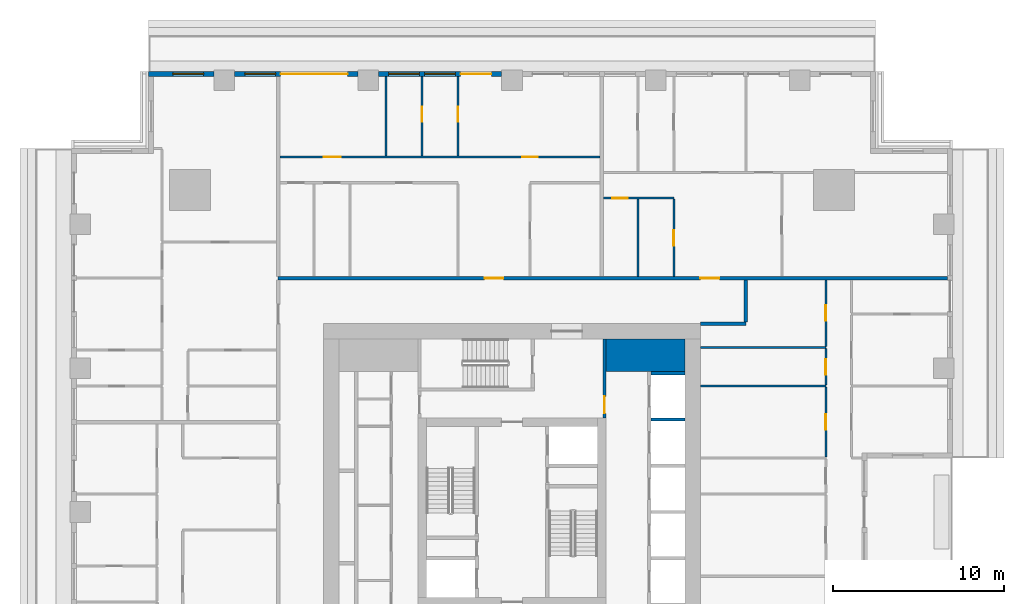
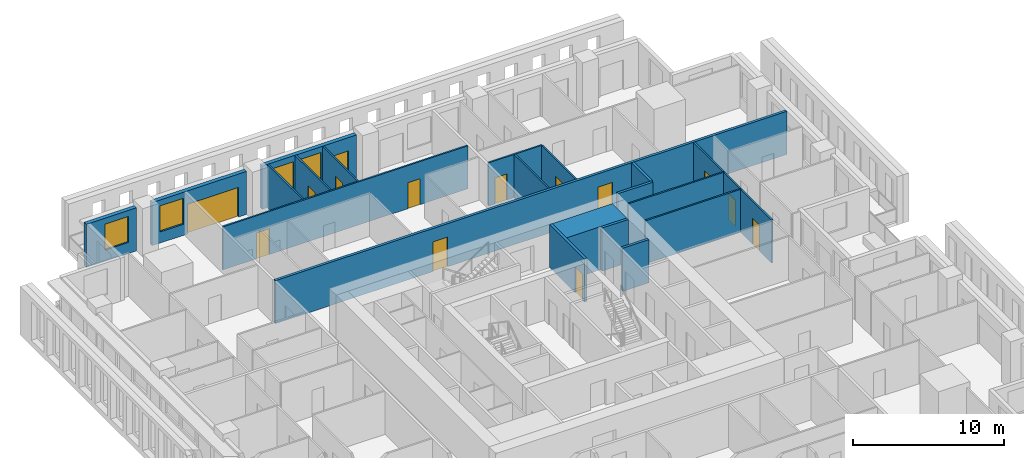
# One storey, part 9 of 17: 22 walls, 14 doors, 4 windows, 18 openings.
"""IFC4 building model written with IfcOpenShell, lengths in metres."""

from ifc_helpers import new_model, si_unit, direction, frame, frame_2d, origin, place, context, subcontext, project, spatial, rectangle, extrude, material, layer, layer_set, type_object, element, fill, save


model = new_model("IFC4")

# Units and contexts
model_context = context("Model", 3, precision=1e-05, world=origin(), true_north=direction((0.0, 1.0)))
body_context = subcontext(model_context, "Body", "Model", "MODEL_VIEW")
ifc_project = project(units=[si_unit("LENGTHUNIT", "METRE"), si_unit("AREAUNIT", "SQUARE_METRE"), si_unit("VOLUMEUNIT", "CUBIC_METRE"), si_unit("PLANEANGLEUNIT", "RADIAN"), si_unit("MASSUNIT", "GRAM", prefix="KILO")], contexts=[model_context])

# Site, building, storey
site_placement = place(None, origin())
site = spatial("IfcSite", under=ifc_project, at=site_placement, CompositionType="ELEMENT")
building_placement = place(site_placement, origin())
building = spatial("IfcBuilding", under=site, at=building_placement, Name="Khepri Terraces", CompositionType="ELEMENT")
storey_placement = place(building_placement, frame((0.0, 0.0, 188.39990234375)))
storey = spatial("IfcBuildingStorey", under=building, at=storey_placement, Name="L44", CompositionType="ELEMENT", Elevation=188.39990234375)

# Walls
ifc_material_1 = material(Name="Concrete C50/60", Category="concrete")
ifc_layer_1 = layer(ifc_material_1, 1.89990234375, Name="Concrete C50/60", Category="concrete")
ifc_layer_set_1 = layer_set([ifc_layer_1], Name="Concrete C50/60")
wall_type_1 = type_object("IfcWallType", Name="Core wall 1900 C50/60", PredefinedType="SHEAR", material=ifc_layer_set_1)
wall_1_placement = place(storey_placement, frame((5.5, 9.14990234375, 0.0), z_axis=(0.0, 0.0, 1.0), x_axis=(1.0, 0.0, 0.0)))
element("IfcWall", 1, at=wall_1_placement, inside=storey, type_object=wall_type_1, Name="Core wall PR04 L44", PredefinedType="SHEAR", context=body_context, shape_type="SweptSolid", body=[
    extrude(rectangle(XDim=4.60009765625, YDim=1.89990234375, at=frame_2d((2.300048828125, 0.0))), origin(), (0.0, 0.0, 1.0), 3.47998046875),
])
ifc_layer_2 = layer(ifc_material_1, 0.199951171875, Name="Concrete C50/60", Category="concrete")
ifc_layer_set_2 = layer_set([ifc_layer_2], Name="Concrete C50/60")
wall_type_2 = type_object("IfcWallType", Name="Core wall 200 C50/60", PredefinedType="SHEAR", material=ifc_layer_set_2)
for number, where, z_axis, x_axis, name in (
    (2, (8.10009765625, 5.39990234375, 0.0), (0.0, 0.0, 1.0), (1.0, 0.0, 0.0), "Core wall SH14 L44"),
    (3, (8.10009765625, 8.10009765625, 0.0), (0.0, 0.0, 1.0), (1.0, 0.0, 0.0), "Core wall SH15 L44"),
):
    element("IfcWall", number, at=place(storey_placement, frame(where, z_axis=z_axis, x_axis=x_axis)), inside=storey, type_object=wall_type_2, Name=name, PredefinedType="SHEAR", context=body_context, shape_type="SweptSolid", body=[
        extrude(rectangle(XDim=2.0, YDim=0.199951171875, at=frame_2d((1.0, 0.0))), origin(), (0.0, 0.0, 1.0), 3.47998046875),
    ])

# Wall, opening, door
ifc_material_2 = material(Name="Fire-rated gypsum board partition")
ifc_layer_3 = layer(ifc_material_2, 0.199951171875, Name="Fire-rated gypsum board partition")
ifc_layer_set_3 = layer_set([ifc_layer_3], Name="Fire-rated gypsum board partition")
wall_type_3 = type_object("IfcWallType", Name="WL-CORE-PART-200", PredefinedType="PARTITIONING", material=ifc_layer_set_3)
wall_2_placement = place(storey_placement, frame((5.39990234375, 5.5, 0.0), z_axis=(0.0, 0.0, 1.0), x_axis=(0.0, 1.0, 0.0)))
wall_2 = element("IfcWall", 4, at=wall_2_placement, inside=storey, type_object=wall_type_3, Name="Core partition PT13 L44", PredefinedType="PARTITIONING", context=body_context, shape_type="SweptSolid", body=[
    extrude(rectangle(XDim=4.60009765625, YDim=0.199951171875, at=frame_2d((2.300048828125, 0.0))), origin(), (0.0, 0.0, 1.0), 3.47998046875),
])
opening_1_placement = place(wall_2_placement, frame((0.25, 0.0, 0.0)))
opening_1 = element("IfcOpeningElement", 5, at=opening_1_placement, cuts=wall_2, Name="Opening L44-C17", PredefinedType="OPENING", context=body_context, shape_type="SweptSolid", body=[
    extrude(rectangle(XDim=1.0, YDim=2.10009765625, at=frame_2d((0.5, 1.050048828125))), frame((0.0, 0.10986328125, 0.0), z_axis=(0.0, -1.0, 0.0), x_axis=(1.0, 0.0, 0.0)), (0.0, 0.0, 1.0), 0.219970703125),
])
ifc_material_3 = material(Name="Painted steel", Category="steel")
door_type_1 = type_object("IfcDoorType", Name="DR-CORE-LOBBY-1000", OperationType="NOTDEFINED", PredefinedType="DOOR", material=ifc_material_3)
door_1_placement = place(opening_1_placement, origin())
door_1 = element("IfcDoor", 6, at=door_1_placement, inside=storey, type_object=door_type_1, Name="Lobby door L44-C17", OperationType="SINGLE_SWING_LEFT", OverallHeight=2.10009765625, OverallWidth=1.0, PredefinedType="DOOR", context=body_context, shape_type="SweptSolid", body=[
    extrude(rectangle(XDim=1.0, YDim=2.10009765625, at=frame_2d((0.5, 1.050048828125))), frame((0.0, 0.02490234375, 0.0), z_axis=(0.0, -1.0, 0.0), x_axis=(1.0, 0.0, 0.0)), (0.0, 0.0, 1.0), 0.050048828125),
])
fill(opening_1, door_1)

# Walls
ifc_material_4 = material(Name="Fire-rated gypsum plasterboard partition, mineral wool")
ifc_layer_4 = layer(ifc_material_4, 0.199951171875, Name="Fire-rated gypsum plasterboard partition, mineral wool")
ifc_layer_set_4 = layer_set([ifc_layer_4], Name="Fire-rated gypsum plasterboard partition, mineral wool")
wall_type_4 = type_object("IfcWallType", Name="WL-CORR-200", PredefinedType="PARTITIONING", material=ifc_layer_set_4)
wall_3_placement = place(storey_placement, frame((11.0, 11.0, 0.0), z_axis=(0.0, 0.0, 1.0), x_axis=(1.0, 0.0, 0.0)))
element("IfcWall", 7, at=wall_3_placement, inside=storey, type_object=wall_type_4, Name="Partition P-083 L44", PredefinedType="PARTITIONING", context=body_context, shape_type="SweptSolid", body=[
    extrude(rectangle(XDim=2.64990234375, YDim=0.199951171875, at=frame_2d((1.324951171875, 0.0))), origin(), (0.0, 0.0, 1.0), 3.47998046875),
])
wall_4_placement = place(storey_placement, frame((13.64990234375, 11.10009765625, 0.0), z_axis=(0.0, 0.0, 1.0), x_axis=(0.0, 1.0, 0.0)))
element("IfcWall", 8, at=wall_4_placement, inside=storey, type_object=wall_type_4, Name="Partition P-084 L44", PredefinedType="PARTITIONING", context=body_context, shape_type="SweptSolid", body=[
    extrude(rectangle(XDim=2.449951171875, YDim=0.199951171875, at=frame_2d((1.22509765625, 0.0))), origin(), (0.0, 0.0, 1.0), 3.47998046875),
])

# Wall, openings, doors
wall_5_placement = place(storey_placement, frame((-13.64990234375, 13.64990234375, 0.0), z_axis=(0.0, 0.0, 1.0), x_axis=(1.0, 0.0, 0.0)))
wall_5 = element("IfcWall", 9, at=wall_5_placement, inside=storey, type_object=wall_type_4, Name="Partition P-088 L44", PredefinedType="PARTITIONING", context=body_context, shape_type="SweptSolid", body=[
    extrude(rectangle(XDim=39.06982421875, YDim=0.199951171875, at=frame_2d((19.534912109375, 0.0))), origin(), (0.0, 0.0, 1.0), 3.47998046875),
])
opening_2_placement = place(wall_5_placement, frame((24.64990234375, 0.0, 0.0)))
opening_2 = element("IfcOpeningElement", 10, at=opening_2_placement, cuts=wall_5, Name="Opening D1", PredefinedType="OPENING", context=body_context, shape_type="SweptSolid", body=[
    extrude(rectangle(XDim=1.10009765625, YDim=2.39990234375, at=frame_2d((0.550048828125, 1.199951171875))), frame((0.0, 0.10986328125, 0.0), z_axis=(0.0, -1.0, 0.0), x_axis=(1.0, 0.0, 0.0)), (0.0, 0.0, 1.0), 0.219970703125),
])
opening_3_placement = place(wall_5_placement, frame((12.050048828125, 0.0, 0.0)))
opening_3 = element("IfcOpeningElement", 11, at=opening_3_placement, cuts=wall_5, Name="Opening D1", PredefinedType="OPENING", context=body_context, shape_type="SweptSolid", body=[
    extrude(rectangle(XDim=1.10009765625, YDim=2.39990234375, at=frame_2d((0.550048828125, 1.199951171875))), frame((0.0, 0.10986328125, 0.0), z_axis=(0.0, -1.0, 0.0), x_axis=(1.0, 0.0, 0.0)), (0.0, 0.0, 1.0), 0.219970703125),
])
ifc_material_5 = material(Name="Solid-core timber door leaf, flat entrance door", Category="wood")
door_type_2 = type_object("IfcDoorType", Name="DR-ENT-1100", OperationType="NOTDEFINED", PredefinedType="DOOR", material=ifc_material_5)
door_2_placement = place(opening_2_placement, origin())
door_2 = element("IfcDoor", 12, at=door_2_placement, inside=storey, type_object=door_type_2, Name="Flat C1 entrance door", OperationType="SINGLE_SWING_RIGHT", OverallHeight=2.39990234375, OverallWidth=1.10009765625, PredefinedType="DOOR", context=body_context, shape_type="SweptSolid", body=[
    extrude(rectangle(XDim=1.10009765625, YDim=2.39990234375, at=frame_2d((0.550048828125, 1.199951171875))), frame((0.0, 0.02490234375, 0.0), z_axis=(0.0, -1.0, 0.0), x_axis=(1.0, 0.0, 0.0)), (0.0, 0.0, 1.0), 0.050048828125),
])
fill(opening_2, door_2)
door_3_placement = place(opening_3_placement, origin())
door_3 = element("IfcDoor", 13, at=door_3_placement, inside=storey, type_object=door_type_2, Name="Flat C2 entrance door", OperationType="SINGLE_SWING_LEFT", OverallHeight=2.39990234375, OverallWidth=1.10009765625, PredefinedType="DOOR", context=body_context, shape_type="SweptSolid", body=[
    extrude(rectangle(XDim=1.10009765625, YDim=2.39990234375, at=frame_2d((0.550048828125, 1.199951171875))), frame((0.0, 0.02490234375, 0.0), z_axis=(0.0, -1.0, 0.0), x_axis=(1.0, 0.0, 0.0)), (0.0, 0.0, 1.0), 0.050048828125),
])
fill(opening_3, door_3)

# Wall, openings, door, windows
ifc_material_6 = material(Name="Precast concrete C50/60 warm stone", Category="masonry")
ifc_layer_5 = layer(ifc_material_6, 0.300048828125, Name="Precast concrete C50/60 warm stone", Category="masonry")
ifc_layer_set_5 = layer_set([ifc_layer_5], Name="Precast concrete C50/60 warm stone")
wall_type_5 = type_object("IfcWallType", Name="WL-EXT-PRECAST-300", PredefinedType="STANDARD", material=ifc_layer_set_5)
wall_6_placement = place(storey_placement, frame((-0.60009765625, 25.570068359375, 0.0), z_axis=(0.0, 0.0, 1.0), x_axis=(-1.0, 0.0, 0.0)))
wall_6 = element("IfcWall", 14, at=wall_6_placement, inside=storey, type_object=wall_type_5, Name="External wall L44 N", PredefinedType="STANDARD", context=body_context, shape_type="SweptSolid", body=[
    extrude(rectangle(XDim=7.199951171875, YDim=0.300048828125, at=frame_2d((3.60009765625, 0.0))), origin(), (0.0, 0.0, 1.0), 3.47998046875),
])
opening_4_placement = place(wall_6_placement, frame((0.60009765625, 0.0, 0.0)))
opening_4 = element("IfcOpeningElement", 15, at=opening_4_placement, cuts=wall_6, Name="Opening ED-L44-10", PredefinedType="OPENING", context=body_context, shape_type="SweptSolid", body=[
    extrude(rectangle(XDim=1.800048828125, YDim=2.39990234375, at=frame_2d((0.89990234375, 1.199951171875))), frame((0.0, 0.16015625, 0.0), z_axis=(0.0, -1.0, 0.0), x_axis=(1.0, 0.0, 0.0)), (0.0, 0.0, 1.0), 0.320068359375),
])
opening_5_placement = place(wall_6_placement, frame((2.699951171875, 0.0, 0.89990234375)))
opening_5 = element("IfcOpeningElement", 16, at=opening_5_placement, cuts=wall_6, Name="Opening W1", PredefinedType="OPENING", context=body_context, shape_type="SweptSolid", body=[
    extrude(rectangle(XDim=1.800048828125, YDim=2.10009765625, at=frame_2d((0.89990234375, 1.050048828125))), frame((0.0, 0.16015625, 0.0), z_axis=(0.0, -1.0, 0.0), x_axis=(1.0, 0.0, 0.0)), (0.0, 0.0, 1.0), 0.320068359375),
])
opening_6_placement = place(wall_6_placement, frame((4.800048828125, 0.0, 0.89990234375)))
opening_6 = element("IfcOpeningElement", 17, at=opening_6_placement, cuts=wall_6, Name="Opening W1", PredefinedType="OPENING", context=body_context, shape_type="SweptSolid", body=[
    extrude(rectangle(XDim=1.800048828125, YDim=2.10009765625, at=frame_2d((0.89990234375, 1.050048828125))), frame((0.0, 0.16015625, 0.0), z_axis=(0.0, -1.0, 0.0), x_axis=(1.0, 0.0, 0.0)), (0.0, 0.0, 1.0), 0.320068359375),
])
ifc_material_7 = material(Name="Anodised aluminium bronze glazed door", Category="aluminium")
door_type_3 = type_object("IfcDoorType", Name="DR-BAL-SLIDE-1800x2400", OperationType="NOTDEFINED", PredefinedType="DOOR", material=ifc_material_7)
door_4_placement = place(opening_4_placement, origin())
door_4 = element("IfcDoor", 18, at=door_4_placement, inside=storey, type_object=door_type_3, Name="Balcony door L44 N", OperationType="SLIDING_TO_LEFT", OverallHeight=2.39990234375, OverallWidth=1.800048828125, PredefinedType="DOOR", context=body_context, shape_type="SweptSolid", body=[
    extrude(rectangle(XDim=1.800048828125, YDim=2.39990234375, at=frame_2d((0.89990234375, 1.199951171875))), frame((0.0, 0.02490234375, 0.0), z_axis=(0.0, -1.0, 0.0), x_axis=(1.0, 0.0, 0.0)), (0.0, 0.0, 1.0), 0.050048828125),
])
fill(opening_4, door_4)
ifc_material_8 = material(Name="Clear glass", Category="glass")
window_type = type_object("IfcWindowType", Name="WIN-RES-1800x2100", PartitioningType="SINGLE_PANEL", PredefinedType="WINDOW", material=ifc_material_8)
window_1_placement = place(opening_5_placement, origin())
window_1 = element("IfcWindow", 19, at=window_1_placement, inside=storey, type_object=window_type, Name="Window L44 N", OverallHeight=2.10009765625, OverallWidth=1.800048828125, PartitioningType="SINGLE_PANEL", PredefinedType="WINDOW", context=body_context, shape_type="SweptSolid", body=[
    extrude(rectangle(XDim=1.800048828125, YDim=2.10009765625, at=frame_2d((0.89990234375, 1.050048828125))), frame((0.0, 0.030029296875, 0.0), z_axis=(0.0, -1.0, 0.0), x_axis=(1.0, 0.0, 0.0)), (0.0, 0.0, 1.0), 0.06005859375),
])
fill(opening_5, window_1)
window_2_placement = place(opening_6_placement, origin())
window_2 = element("IfcWindow", 20, at=window_2_placement, inside=storey, type_object=window_type, Name="Window L44 N", OverallHeight=2.10009765625, OverallWidth=1.800048828125, PartitioningType="SINGLE_PANEL", PredefinedType="WINDOW", context=body_context, shape_type="SweptSolid", body=[
    extrude(rectangle(XDim=1.800048828125, YDim=2.10009765625, at=frame_2d((0.89990234375, 1.050048828125))), frame((0.0, 0.030029296875, 0.0), z_axis=(0.0, -1.0, 0.0), x_axis=(1.0, 0.0, 0.0)), (0.0, 0.0, 1.0), 0.06005859375),
])
fill(opening_6, window_2)

# Wall, openings, door, window
wall_7_placement = place(storey_placement, frame((-9.0, 25.570068359375, 0.0), z_axis=(0.0, 0.0, 1.0), x_axis=(-1.0, 0.0, 0.0)))
wall_7 = element("IfcWall", 21, at=wall_7_placement, inside=storey, type_object=wall_type_5, Name="External wall L44 N", PredefinedType="STANDARD", context=body_context, shape_type="SweptSolid", body=[
    extrude(rectangle(XDim=7.199951171875, YDim=0.300048828125, at=frame_2d((3.60009765625, 0.0))), origin(), (0.0, 0.0, 1.0), 3.47998046875),
])
opening_7_placement = place(wall_7_placement, frame((0.60009765625, 0.0, 0.0)))
opening_7 = element("IfcOpeningElement", 22, at=opening_7_placement, cuts=wall_7, Name="Opening ED-L44-11", PredefinedType="OPENING", context=body_context, shape_type="SweptSolid", body=[
    extrude(rectangle(XDim=3.89990234375, YDim=2.39990234375, at=frame_2d((1.949951171875, 1.199951171875))), frame((0.0, 0.16015625, 0.0), z_axis=(0.0, -1.0, 0.0), x_axis=(1.0, 0.0, 0.0)), (0.0, 0.0, 1.0), 0.320068359375),
])
opening_8_placement = place(wall_7_placement, frame((4.800048828125, 0.0, 0.89990234375)))
opening_8 = element("IfcOpeningElement", 23, at=opening_8_placement, cuts=wall_7, Name="Opening W1", PredefinedType="OPENING", context=body_context, shape_type="SweptSolid", body=[
    extrude(rectangle(XDim=1.800048828125, YDim=2.10009765625, at=frame_2d((0.89990234375, 1.050048828125))), frame((0.0, 0.16015625, 0.0), z_axis=(0.0, -1.0, 0.0), x_axis=(1.0, 0.0, 0.0)), (0.0, 0.0, 1.0), 0.320068359375),
])
door_type_4 = type_object("IfcDoorType", Name="DR-BAL-SLIDE-3900x2400", OperationType="NOTDEFINED", PredefinedType="DOOR", material=ifc_material_7)
door_5_placement = place(opening_7_placement, origin())
door_5 = element("IfcDoor", 24, at=door_5_placement, inside=storey, type_object=door_type_4, Name="Balcony door L44 N", OperationType="SLIDING_TO_LEFT", OverallHeight=2.39990234375, OverallWidth=3.89990234375, PredefinedType="DOOR", context=body_context, shape_type="SweptSolid", body=[
    extrude(rectangle(XDim=3.89990234375, YDim=2.39990234375, at=frame_2d((1.949951171875, 1.199951171875))), frame((0.0, 0.02490234375, 0.0), z_axis=(0.0, -1.0, 0.0), x_axis=(1.0, 0.0, 0.0)), (0.0, 0.0, 1.0), 0.050048828125),
])
fill(opening_7, door_5)
window_3_placement = place(opening_8_placement, origin())
window_3 = element("IfcWindow", 25, at=window_3_placement, inside=storey, type_object=window_type, Name="Window L44 N", OverallHeight=2.10009765625, OverallWidth=1.800048828125, PartitioningType="SINGLE_PANEL", PredefinedType="WINDOW", context=body_context, shape_type="SweptSolid", body=[
    extrude(rectangle(XDim=1.800048828125, YDim=2.10009765625, at=frame_2d((0.89990234375, 1.050048828125))), frame((0.0, 0.030029296875, 0.0), z_axis=(0.0, -1.0, 0.0), x_axis=(1.0, 0.0, 0.0)), (0.0, 0.0, 1.0), 0.06005859375),
])
fill(opening_8, window_3)

# Wall, opening, window
wall_8_placement = place(storey_placement, frame((-17.39990234375, 25.570068359375, 0.0), z_axis=(0.0, 0.0, 1.0), x_axis=(-1.0, 0.0, 0.0)))
wall_8 = element("IfcWall", 26, at=wall_8_placement, inside=storey, type_object=wall_type_5, Name="External wall L44 N", PredefinedType="STANDARD", context=body_context, shape_type="SweptSolid", body=[
    extrude(rectangle(XDim=3.820068359375, YDim=0.300048828125, at=frame_2d((1.91015625, 0.0))), origin(), (0.0, 0.0, 1.0), 3.47998046875),
])
opening_9_placement = place(wall_8_placement, frame((0.60009765625, 0.0, 0.89990234375)))
opening_9 = element("IfcOpeningElement", 27, at=opening_9_placement, cuts=wall_8, Name="Opening W1", PredefinedType="OPENING", context=body_context, shape_type="SweptSolid", body=[
    extrude(rectangle(XDim=1.800048828125, YDim=2.10009765625, at=frame_2d((0.89990234375, 1.050048828125))), frame((0.0, 0.16015625, 0.0), z_axis=(0.0, -1.0, 0.0), x_axis=(1.0, 0.0, 0.0)), (0.0, 0.0, 1.0), 0.320068359375),
])
window_4_placement = place(opening_9_placement, origin())
window_4 = element("IfcWindow", 28, at=window_4_placement, inside=storey, type_object=window_type, Name="Window L44 N", OverallHeight=2.10009765625, OverallWidth=1.800048828125, PartitioningType="SINGLE_PANEL", PredefinedType="WINDOW", context=body_context, shape_type="SweptSolid", body=[
    extrude(rectangle(XDim=1.800048828125, YDim=2.10009765625, at=frame_2d((0.89990234375, 1.050048828125))), frame((0.0, 0.030029296875, 0.0), z_axis=(0.0, -1.0, 0.0), x_axis=(1.0, 0.0, 0.0)), (0.0, 0.0, 1.0), 0.06005859375),
])
fill(opening_9, window_4)

# Wall, opening, door
ifc_material_9 = material(Name="Gypsum plasterboard partition")
ifc_layer_6 = layer(ifc_material_9, 0.1201171875, Name="Gypsum plasterboard partition")
ifc_layer_set_6 = layer_set([ifc_layer_6], Name="Gypsum plasterboard partition")
wall_type_6 = type_object("IfcWallType", Name="WL-PART-120", PredefinedType="PARTITIONING", material=ifc_layer_set_6)
wall_9_placement = place(storey_placement, frame((18.320068359375, 3.2099609375, 0.0), z_axis=(0.0, 0.0, 1.0), x_axis=(0.0, 1.0, 0.0)))
wall_9 = element("IfcWall", 29, at=wall_9_placement, inside=storey, type_object=wall_type_6, Name="Partition P-064 L44", PredefinedType="PARTITIONING", context=body_context, shape_type="SweptSolid", body=[
    extrude(rectangle(XDim=4.080078125, YDim=0.1201171875, at=frame_2d((2.0400390625, 0.0))), origin(), (0.0, 0.0, 1.0), 3.47998046875),
])
opening_10_placement = place(wall_9_placement, frame((1.590087890625, 0.0, 0.0)))
opening_10 = element("IfcOpeningElement", 30, at=opening_10_placement, cuts=wall_9, Name="Opening D3", PredefinedType="OPENING", context=body_context, shape_type="SweptSolid", body=[
    extrude(rectangle(XDim=0.89990234375, YDim=2.10009765625, at=frame_2d((0.449951171875, 1.050048828125))), frame((0.0, 0.070068359375, 0.0), z_axis=(0.0, -1.0, 0.0), x_axis=(1.0, 0.0, 0.0)), (0.0, 0.0, 1.0), 0.14013671875),
])
ifc_material_10 = material(Name="Timber door leaf", Category="wood")
door_type_5 = type_object("IfcDoorType", Name="DR-INT-900", OperationType="NOTDEFINED", PredefinedType="DOOR", material=ifc_material_10)
door_6_placement = place(opening_10_placement, origin())
door_6 = element("IfcDoor", 31, at=door_6_placement, inside=storey, type_object=door_type_5, Name="Door Utility Room", OperationType="SINGLE_SWING_RIGHT", OverallHeight=2.10009765625, OverallWidth=0.89990234375, PredefinedType="DOOR", context=body_context, shape_type="SweptSolid", body=[
    extrude(rectangle(XDim=0.89990234375, YDim=2.10009765625, at=frame_2d((0.449951171875, 1.050048828125))), frame((0.0, 0.02490234375, 0.0), z_axis=(0.0, -1.0, 0.0), x_axis=(1.0, 0.0, 0.0)), (0.0, 0.0, 1.0), 0.050048828125),
])
fill(opening_10, door_6)

# Wall
wall_10_placement = place(storey_placement, frame((11.0, 7.35009765625, 0.0), z_axis=(0.0, 0.0, 1.0), x_axis=(1.0, 0.0, 0.0)))
element("IfcWall", 32, at=wall_10_placement, inside=storey, type_object=wall_type_6, Name="Partition P-072 L44", PredefinedType="PARTITIONING", context=body_context, shape_type="SweptSolid", body=[
    extrude(rectangle(XDim=7.320068359375, YDim=0.1201171875, at=frame_2d((3.66015625, 0.0))), origin(), (0.0, 0.0, 1.0), 3.47998046875),
])

# Wall, opening, door
wall_11_placement = place(storey_placement, frame((18.320068359375, 7.409912109375, 0.0), z_axis=(0.0, 0.0, 1.0), x_axis=(0.0, 1.0, 0.0)))
wall_11 = element("IfcWall", 33, at=wall_11_placement, inside=storey, type_object=wall_type_6, Name="Partition P-076 L44", PredefinedType="PARTITIONING", context=body_context, shape_type="SweptSolid", body=[
    extrude(rectangle(XDim=2.130126953125, YDim=0.1201171875, at=frame_2d((1.06494140625, 0.0))), origin(), (0.0, 0.0, 1.0), 3.47998046875),
])
opening_11_placement = place(wall_11_placement, frame((0.614990234375, 0.0, 0.0)))
opening_11 = element("IfcOpeningElement", 34, at=opening_11_placement, cuts=wall_11, Name="Opening D4", PredefinedType="OPENING", context=body_context, shape_type="SweptSolid", body=[
    extrude(rectangle(XDim=0.89990234375, YDim=2.10009765625, at=frame_2d((0.449951171875, 1.050048828125))), frame((0.0, 0.070068359375, 0.0), z_axis=(0.0, -1.0, 0.0), x_axis=(1.0, 0.0, 0.0)), (0.0, 0.0, 1.0), 0.14013671875),
])
ifc_material_11 = material(Name="Timber door leaf, moisture resistant", Category="wood")
door_type_6 = type_object("IfcDoorType", Name="DR-WET-900", OperationType="NOTDEFINED", PredefinedType="DOOR", material=ifc_material_11)
door_7_placement = place(opening_11_placement, origin())
door_7 = element("IfcDoor", 35, at=door_7_placement, inside=storey, type_object=door_type_6, Name="Door Guest Bathroom", OperationType="SINGLE_SWING_RIGHT", OverallHeight=2.10009765625, OverallWidth=0.89990234375, PredefinedType="DOOR", context=body_context, shape_type="SweptSolid", body=[
    extrude(rectangle(XDim=0.89990234375, YDim=2.10009765625, at=frame_2d((0.449951171875, 1.050048828125))), frame((0.0, 0.02490234375, 0.0), z_axis=(0.0, -1.0, 0.0), x_axis=(1.0, 0.0, 0.0)), (0.0, 0.0, 1.0), 0.050048828125),
])
fill(opening_11, door_7)

# Wall
wall_12_placement = place(storey_placement, frame((11.0, 9.60009765625, 0.0), z_axis=(0.0, 0.0, 1.0), x_axis=(1.0, 0.0, 0.0)))
element("IfcWall", 36, at=wall_12_placement, inside=storey, type_object=wall_type_6, Name="Partition P-081 L44", PredefinedType="PARTITIONING", context=body_context, shape_type="SweptSolid", body=[
    extrude(rectangle(XDim=7.320068359375, YDim=0.1201171875, at=frame_2d((3.66015625, 0.0))), origin(), (0.0, 0.0, 1.0), 3.47998046875),
])

# Wall, opening, door
wall_13_placement = place(storey_placement, frame((18.320068359375, 9.659912109375, 0.0), z_axis=(0.0, 0.0, 1.0), x_axis=(0.0, 1.0, 0.0)))
wall_13 = element("IfcWall", 37, at=wall_13_placement, inside=storey, type_object=wall_type_6, Name="Partition P-082 L44", PredefinedType="PARTITIONING", context=body_context, shape_type="SweptSolid", body=[
    extrude(rectangle(XDim=3.89013671875, YDim=0.1201171875, at=frame_2d((1.945068359375, 0.0))), origin(), (0.0, 0.0, 1.0), 3.47998046875),
])
opening_12_placement = place(wall_13_placement, frame((1.514892578125, 0.0, 0.0)))
opening_12 = element("IfcOpeningElement", 38, at=opening_12_placement, cuts=wall_13, Name="Opening D3", PredefinedType="OPENING", context=body_context, shape_type="SweptSolid", body=[
    extrude(rectangle(XDim=0.89990234375, YDim=2.10009765625, at=frame_2d((0.449951171875, 1.050048828125))), frame((0.0, 0.070068359375, 0.0), z_axis=(0.0, -1.0, 0.0), x_axis=(1.0, 0.0, 0.0)), (0.0, 0.0, 1.0), 0.14013671875),
])
door_8_placement = place(opening_12_placement, origin())
door_8 = element("IfcDoor", 39, at=door_8_placement, inside=storey, type_object=door_type_5, Name="Door Library", OperationType="SINGLE_SWING_RIGHT", OverallHeight=2.10009765625, OverallWidth=0.89990234375, PredefinedType="DOOR", context=body_context, shape_type="SweptSolid", body=[
    extrude(rectangle(XDim=0.89990234375, YDim=2.10009765625, at=frame_2d((0.449951171875, 1.050048828125))), frame((0.0, 0.02490234375, 0.0), z_axis=(0.0, -1.0, 0.0), x_axis=(1.0, 0.0, 0.0)), (0.0, 0.0, 1.0), 0.050048828125),
])
fill(opening_12, door_8)

# Wall
wall_14_placement = place(storey_placement, frame((7.35009765625, 13.75, 0.0), z_axis=(0.0, 0.0, 1.0), x_axis=(0.0, 1.0, 0.0)))
element("IfcWall", 40, at=wall_14_placement, inside=storey, type_object=wall_type_6, Name="Partition P-096 L44", PredefinedType="PARTITIONING", context=body_context, shape_type="SweptSolid", body=[
    extrude(rectangle(XDim=4.510009765625, YDim=0.1201171875, at=frame_2d((2.2548828125, 0.0))), origin(), (0.0, 0.0, 1.0), 3.47998046875),
])

# Wall, opening, door
wall_15_placement = place(storey_placement, frame((9.449951171875, 13.75, 0.0), z_axis=(0.0, 0.0, 1.0), x_axis=(0.0, 1.0, 0.0)))
wall_15 = element("IfcWall", 41, at=wall_15_placement, inside=storey, type_object=wall_type_6, Name="Partition P-097 L44", PredefinedType="PARTITIONING", context=body_context, shape_type="SweptSolid", body=[
    extrude(rectangle(XDim=4.510009765625, YDim=0.1201171875, at=frame_2d((2.2548828125, 0.0))), origin(), (0.0, 0.0, 1.0), 3.47998046875),
])
opening_13_placement = place(wall_15_placement, frame((1.784912109375, 0.0, 0.0)))
opening_13 = element("IfcOpeningElement", 42, at=opening_13_placement, cuts=wall_15, Name="Opening D4", PredefinedType="OPENING", context=body_context, shape_type="SweptSolid", body=[
    extrude(rectangle(XDim=0.89990234375, YDim=2.10009765625, at=frame_2d((0.449951171875, 1.050048828125))), frame((0.0, 0.070068359375, 0.0), z_axis=(0.0, -1.0, 0.0), x_axis=(1.0, 0.0, 0.0)), (0.0, 0.0, 1.0), 0.14013671875),
])
door_9_placement = place(opening_13_placement, origin())
door_9 = element("IfcDoor", 43, at=door_9_placement, inside=storey, type_object=door_type_6, Name="Door Guest Bathroom", OperationType="SINGLE_SWING_LEFT", OverallHeight=2.10009765625, OverallWidth=0.89990234375, PredefinedType="DOOR", context=body_context, shape_type="SweptSolid", body=[
    extrude(rectangle(XDim=0.89990234375, YDim=2.10009765625, at=frame_2d((0.449951171875, 1.050048828125))), frame((0.0, 0.02490234375, 0.0), z_axis=(0.0, -1.0, 0.0), x_axis=(1.0, 0.0, 0.0)), (0.0, 0.0, 1.0), 0.050048828125),
])
fill(opening_13, door_9)

wall_16_placement = place(storey_placement, frame((5.35009765625, 18.320068359375, 0.0), z_axis=(0.0, 0.0, 1.0), x_axis=(1.0, 0.0, 0.0)))
wall_16 = element("IfcWall", 44, at=wall_16_placement, inside=storey, type_object=wall_type_6, Name="Partition P-101 L44", PredefinedType="PARTITIONING", context=body_context, shape_type="SweptSolid", body=[
    extrude(rectangle(XDim=4.099853515625, YDim=0.1201171875, at=frame_2d((2.0498046875, 0.0))), origin(), (0.0, 0.0, 1.0), 3.47998046875),
])
opening_14_placement = place(wall_16_placement, frame((0.5, 0.0, 0.0)))
opening_14 = element("IfcOpeningElement", 45, at=opening_14_placement, cuts=wall_16, Name="Opening D3", PredefinedType="OPENING", context=body_context, shape_type="SweptSolid", body=[
    extrude(rectangle(XDim=0.89990234375, YDim=2.10009765625, at=frame_2d((0.449951171875, 1.050048828125))), frame((0.0, 0.070068359375, 0.0), z_axis=(0.0, -1.0, 0.0), x_axis=(1.0, 0.0, 0.0)), (0.0, 0.0, 1.0), 0.14013671875),
])
door_10_placement = place(opening_14_placement, frame((0.89990234375, 0.0, 0.0), z_axis=(0.0, 0.0, 1.0), x_axis=(-1.0, 0.0, 0.0)))
door_10 = element("IfcDoor", 46, at=door_10_placement, inside=storey, type_object=door_type_5, Name="Door Kitchen", OperationType="SINGLE_SWING_RIGHT", OverallHeight=2.10009765625, OverallWidth=0.89990234375, PredefinedType="DOOR", context=body_context, shape_type="SweptSolid", body=[
    extrude(rectangle(XDim=0.89990234375, YDim=2.10009765625, at=frame_2d((0.449951171875, 1.050048828125))), frame((0.0, 0.02490234375, 0.0), z_axis=(0.0, -1.0, 0.0), x_axis=(1.0, 0.0, 0.0)), (0.0, 0.0, 1.0), 0.050048828125),
])
fill(opening_14, door_10)

# Wall, openings, doors
wall_17_placement = place(storey_placement, frame((-13.550048828125, 20.719970703125, 0.0), z_axis=(0.0, 0.0, 1.0), x_axis=(1.0, 0.0, 0.0)))
wall_17 = element("IfcWall", 47, at=wall_17_placement, inside=storey, type_object=wall_type_6, Name="Partition P-109 L44", PredefinedType="PARTITIONING", context=body_context, shape_type="SweptSolid", body=[
    extrude(rectangle(XDim=18.699951171875, YDim=0.1201171875, at=frame_2d((9.35009765625, 0.0))), origin(), (0.0, 0.0, 1.0), 3.47998046875),
])
opening_15_placement = place(wall_17_placement, frame((14.14990234375, 0.0, 0.0)))
opening_15 = element("IfcOpeningElement", 48, at=opening_15_placement, cuts=wall_17, Name="Opening D3", PredefinedType="OPENING", context=body_context, shape_type="SweptSolid", body=[
    extrude(rectangle(XDim=0.89990234375, YDim=2.10009765625, at=frame_2d((0.449951171875, 1.050048828125))), frame((0.0, 0.070068359375, 0.0), z_axis=(0.0, -1.0, 0.0), x_axis=(1.0, 0.0, 0.0)), (0.0, 0.0, 1.0), 0.14013671875),
])
opening_16_placement = place(wall_17_placement, frame((2.550048828125, 0.0, 0.0)))
opening_16 = element("IfcOpeningElement", 49, at=opening_16_placement, cuts=wall_17, Name="Opening D2", PredefinedType="OPENING", context=body_context, shape_type="SweptSolid", body=[
    extrude(rectangle(XDim=1.0, YDim=2.10009765625, at=frame_2d((0.5, 1.050048828125))), frame((0.0, 0.070068359375, 0.0), z_axis=(0.0, -1.0, 0.0), x_axis=(1.0, 0.0, 0.0)), (0.0, 0.0, 1.0), 0.14013671875),
])
ifc_material_12 = material(Name="Timber door leaf, living room door", Category="wood")
door_type_7 = type_object("IfcDoorType", Name="DR-INT-1000", OperationType="NOTDEFINED", PredefinedType="DOOR", material=ifc_material_12)
door_11_placement = place(opening_16_placement, origin())
door_11 = element("IfcDoor", 50, at=door_11_placement, inside=storey, type_object=door_type_7, Name="Door Living Room", OperationType="SINGLE_SWING_LEFT", OverallHeight=2.10009765625, OverallWidth=1.0, PredefinedType="DOOR", context=body_context, shape_type="SweptSolid", body=[
    extrude(rectangle(XDim=1.0, YDim=2.10009765625, at=frame_2d((0.5, 1.050048828125))), frame((0.0, 0.02490234375, 0.0), z_axis=(0.0, -1.0, 0.0), x_axis=(1.0, 0.0, 0.0)), (0.0, 0.0, 1.0), 0.050048828125),
])
fill(opening_16, door_11)
door_12_placement = place(opening_15_placement, origin())
door_12 = element("IfcDoor", 51, at=door_12_placement, inside=storey, type_object=door_type_5, Name="Door Master Bedroom", OperationType="SINGLE_SWING_RIGHT", OverallHeight=2.10009765625, OverallWidth=0.89990234375, PredefinedType="DOOR", context=body_context, shape_type="SweptSolid", body=[
    extrude(rectangle(XDim=0.89990234375, YDim=2.10009765625, at=frame_2d((0.449951171875, 1.050048828125))), frame((0.0, 0.02490234375, 0.0), z_axis=(0.0, -1.0, 0.0), x_axis=(1.0, 0.0, 0.0)), (0.0, 0.0, 1.0), 0.050048828125),
])
fill(opening_15, door_12)

# Wall
wall_18_placement = place(storey_placement, frame((-7.35009765625, 20.780029296875, 0.0), z_axis=(0.0, 0.0, 1.0), x_axis=(0.0, 1.0, 0.0)))
element("IfcWall", 52, at=wall_18_placement, inside=storey, type_object=wall_type_6, Name="Partition P-110 L44", PredefinedType="PARTITIONING", context=body_context, shape_type="SweptSolid", body=[
    extrude(rectangle(XDim=4.639892578125, YDim=0.1201171875, at=frame_2d((2.31982421875, 0.0))), origin(), (0.0, 0.0, 1.0), 3.47998046875),
])

# Wall, opening, door
wall_19_placement = place(storey_placement, frame((-5.25, 20.780029296875, 0.0), z_axis=(0.0, 0.0, 1.0), x_axis=(0.0, 1.0, 0.0)))
wall_19 = element("IfcWall", 53, at=wall_19_placement, inside=storey, type_object=wall_type_6, Name="Partition P-111 L44", PredefinedType="PARTITIONING", context=body_context, shape_type="SweptSolid", body=[
    extrude(rectangle(XDim=4.639892578125, YDim=0.1201171875, at=frame_2d((2.31982421875, 0.0))), origin(), (0.0, 0.0, 1.0), 3.47998046875),
])
opening_17_placement = place(wall_19_placement, frame((1.989990234375, 0.0, 0.0)))
opening_17 = element("IfcOpeningElement", 54, at=opening_17_placement, cuts=wall_19, Name="Opening D4", PredefinedType="OPENING", context=body_context, shape_type="SweptSolid", body=[
    extrude(rectangle(XDim=0.89990234375, YDim=2.10009765625, at=frame_2d((0.449951171875, 1.050048828125))), frame((0.0, 0.070068359375, 0.0), z_axis=(0.0, -1.0, 0.0), x_axis=(1.0, 0.0, 0.0)), (0.0, 0.0, 1.0), 0.14013671875),
])
door_13_placement = place(opening_17_placement, origin())
door_13 = element("IfcDoor", 55, at=door_13_placement, inside=storey, type_object=door_type_6, Name="Door Bathroom", OperationType="SINGLE_SWING_RIGHT", OverallHeight=2.10009765625, OverallWidth=0.89990234375, PredefinedType="DOOR", context=body_context, shape_type="SweptSolid", body=[
    extrude(rectangle(XDim=0.89990234375, YDim=2.10009765625, at=frame_2d((0.449951171875, 1.050048828125))), frame((0.0, 0.02490234375, 0.0), z_axis=(0.0, -1.0, 0.0), x_axis=(1.0, 0.0, 0.0)), (0.0, 0.0, 1.0), 0.050048828125),
])
fill(opening_17, door_13)

wall_20_placement = place(storey_placement, frame((-3.14990234375, 20.780029296875, 0.0), z_axis=(0.0, 0.0, 1.0), x_axis=(0.0, 1.0, 0.0)))
wall_20 = element("IfcWall", 56, at=wall_20_placement, inside=storey, type_object=wall_type_6, Name="Partition P-112 L44", PredefinedType="PARTITIONING", context=body_context, shape_type="SweptSolid", body=[
    extrude(rectangle(XDim=4.639892578125, YDim=0.1201171875, at=frame_2d((2.31982421875, 0.0))), origin(), (0.0, 0.0, 1.0), 3.47998046875),
])
opening_18_placement = place(wall_20_placement, frame((1.989990234375, 0.0, 0.0)))
opening_18 = element("IfcOpeningElement", 57, at=opening_18_placement, cuts=wall_20, Name="Opening D3", PredefinedType="OPENING", context=body_context, shape_type="SweptSolid", body=[
    extrude(rectangle(XDim=0.89990234375, YDim=2.10009765625, at=frame_2d((0.449951171875, 1.050048828125))), frame((0.0, 0.070068359375, 0.0), z_axis=(0.0, -1.0, 0.0), x_axis=(1.0, 0.0, 0.0)), (0.0, 0.0, 1.0), 0.14013671875),
])
door_14_placement = place(opening_18_placement, origin())
door_14 = element("IfcDoor", 58, at=door_14_placement, inside=storey, type_object=door_type_5, Name="Door Dressing Room", OperationType="SINGLE_SWING_RIGHT", OverallHeight=2.10009765625, OverallWidth=0.89990234375, PredefinedType="DOOR", context=body_context, shape_type="SweptSolid", body=[
    extrude(rectangle(XDim=0.89990234375, YDim=2.10009765625, at=frame_2d((0.449951171875, 1.050048828125))), frame((0.0, 0.02490234375, 0.0), z_axis=(0.0, -1.0, 0.0), x_axis=(1.0, 0.0, 0.0)), (0.0, 0.0, 1.0), 0.050048828125),
])
fill(opening_18, door_14)

save(model, "model.ifc")
